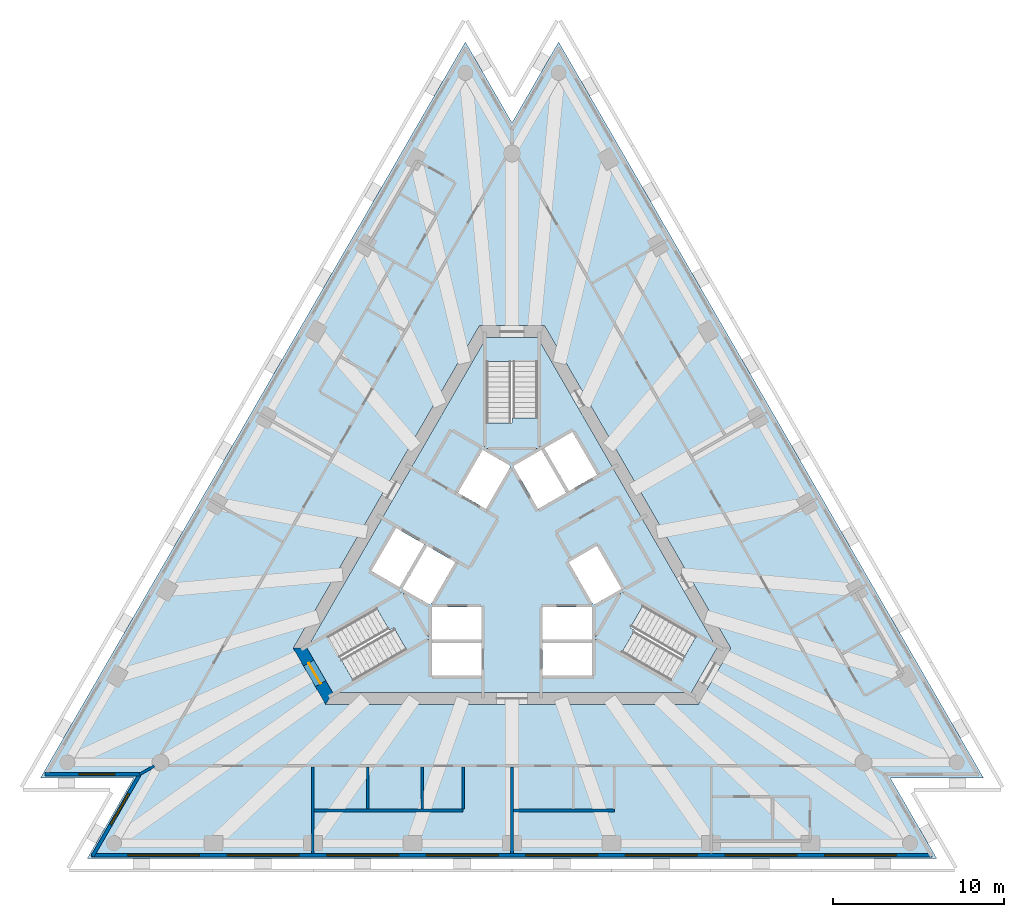
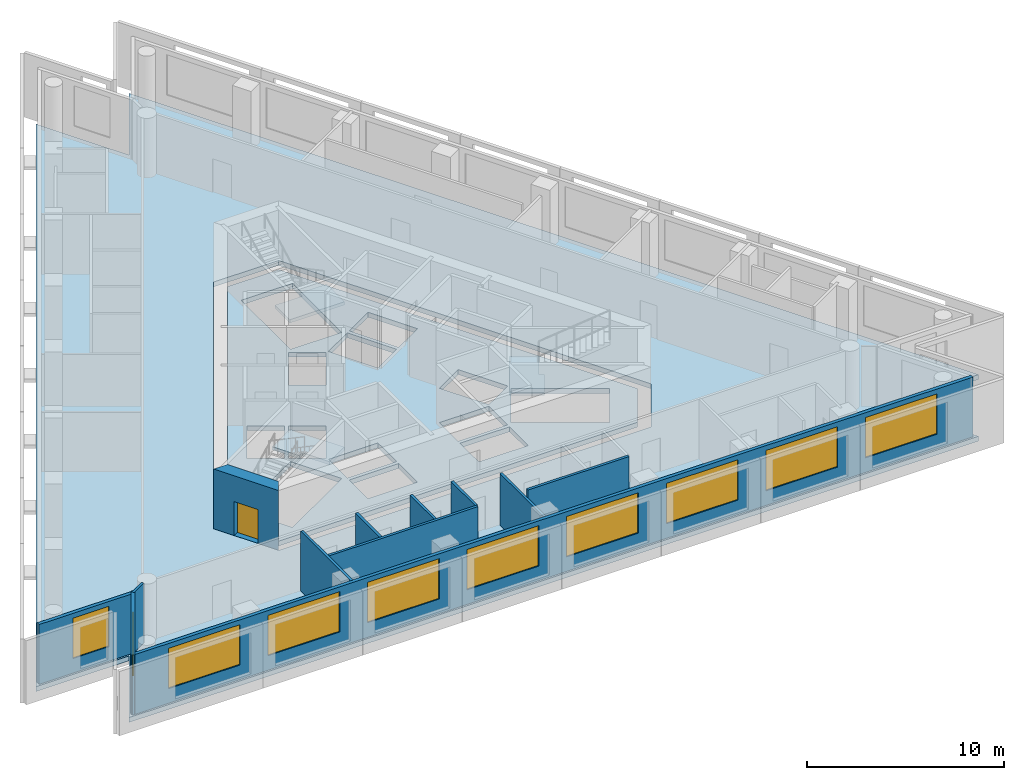
# One storey, part 2 of 10: 12 walls, 10 windows, 5 slabs, 1 door, 11 openings, 3 elements without a shape of their own.
"""IFC4 building model written with IfcOpenShell, lengths in metres."""

import ifcopenshell
import ifcopenshell.guid

model = None  # the IFC model being written
_history = None  # IfcOwnerHistory: only IFC2X3 demands one
_inside = {}  # id of a spatial element -> (the spatial element, [elements in it])
_under = {}  # id of a project, library or spatial element -> (it, [spatial elements below it])
_declared = {}  # id of a project -> (the project, [libraries it declares])
_typed = {}  # id of a type object -> (the type object, [elements of that type])
_made_of = {}  # id of a material, layer set ... -> (it, [elements and type objects made of it])


def new_model(schema):
    """Start an empty IFC model of exactly this schema.

    Asked for "IFC4X3", IfcOpenShell would pick the latest addendum, in which some entities
    have other attributes; the version numbers below select the first issue.
    IFC2X3 requires an IfcOwnerHistory on every rooted entity: one is made here for all.
    """
    global model, _history
    if schema == "IFC4X3":
        model = ifcopenshell.file(schema_version=(4, 3, 0, 0))
    else:
        model = ifcopenshell.file(schema=schema)
    _inside.clear()
    _under.clear()
    _declared.clear()
    _typed.clear()
    _made_of.clear()
    _history = None
    if model.schema == "IFC2X3":
        org = make("IfcOrganization", Name="unknown")
        user = make(
            "IfcPersonAndOrganization",
            ThePerson=make("IfcPerson", FamilyName="unknown"),
            TheOrganization=org,
        )
        app = make(
            "IfcApplication",
            ApplicationDeveloper=org,
            Version="unknown",
            ApplicationFullName="unknown",
            ApplicationIdentifier="unknown",
        )
        _history = make(
            "IfcOwnerHistory",
            OwningUser=user,
            OwningApplication=app,
            ChangeAction="ADDED",
            CreationDate=0,
        )
    return model


def make(cls, **values):
    """One entity of the class cls with the attributes given. An attribute that is None is left unset."""
    return model.create_entity(
        cls, **{name: value for name, value in values.items() if value is not None}
    )


def rooted(cls, **values):
    """An entity with a GlobalId (a new one), such as an element, a storey or a relation."""
    return make(cls, GlobalId=ifcopenshell.guid.new(), OwnerHistory=_history, **values)


def si_unit(unit_type, name, prefix=None):
    """IfcSIUnit, for example si_unit("LENGTHUNIT", "METRE", prefix="MILLI")."""
    return make("IfcSIUnit", UnitType=unit_type, Prefix=prefix, Name=name)


def assignment(units):
    """IfcUnitAssignment: the units of a project."""
    return None if units is None else make("IfcUnitAssignment", Units=units)


def point(xyz):
    """IfcCartesianPoint."""
    return None if xyz is None else make("IfcCartesianPoint", Coordinates=xyz)


def direction(xyz):
    """IfcDirection."""
    return None if xyz is None else make("IfcDirection", DirectionRatios=xyz)


def frame(location, z_axis=None, x_axis=None):
    """IfcAxis2Placement3D, a coordinate frame: its origin and axes. An axis left out is left unset."""
    return make(
        "IfcAxis2Placement3D",
        Location=point(location),
        Axis=direction(z_axis),
        RefDirection=direction(x_axis),
    )


def frame_2d(location, x_axis=None):
    """IfcAxis2Placement2D, a coordinate frame in the plane: its origin and x axis."""
    return make(
        "IfcAxis2Placement2D", Location=point(location), RefDirection=direction(x_axis)
    )


def origin():
    """The frame at (0, 0, 0) with its axes left unset."""
    return frame((0.0, 0.0, 0.0))


def place(relative_to, where):
    """IfcLocalPlacement: puts the frame where relative to a parent placement (None: the world)."""
    return make(
        "IfcLocalPlacement", PlacementRelTo=relative_to, RelativePlacement=where
    )


def context(
    kind, dimensions, precision=None, world=None, true_north=None, identifier=None
):
    """IfcGeometricRepresentationContext, for example the 3D "Model" context."""
    return make(
        "IfcGeometricRepresentationContext",
        ContextIdentifier=identifier,
        ContextType=kind,
        CoordinateSpaceDimension=dimensions,
        Precision=precision,
        WorldCoordinateSystem=world,
        TrueNorth=true_north,
    )


def subcontext(parent, identifier, kind, view, scale=None):
    """IfcGeometricRepresentationSubContext, for example "Body" below "Model"."""
    return make(
        "IfcGeometricRepresentationSubContext",
        ContextIdentifier=identifier,
        ContextType=kind,
        ParentContext=parent,
        TargetScale=scale,
        TargetView=view,
    )


def project(units=None, contexts=None):
    """IfcProject with its units and contexts."""
    return rooted(
        "IfcProject",
        Name="project",
        RepresentationContexts=contexts,
        UnitsInContext=assignment(units),
    )


def spatial(cls, under=None, at=None, **own):
    """A site, building, storey or space (cls), placed at a placement, below another one or the project."""
    s = rooted(cls, ObjectPlacement=at, **own)
    if under is not None:
        _under.setdefault(under.id(), (under, []))[1].append(s)
    return s


def polyline(points):
    """IfcPolyline through the points."""
    return make("IfcPolyline", Points=[point(p) for p in points])


def profile(cls, at=None, kind="AREA", **sizes):
    """A parametric profile (cls). Its sizes go by their IFC names, for example OverallWidth=200.0."""
    return make(cls, ProfileType=kind, Position=at, **sizes)


def rectangle(**sizes):
    """IfcRectangleProfileDef."""
    return profile("IfcRectangleProfileDef", **sizes)


def outline(outer, holes=None, kind="AREA"):
    """IfcArbitraryClosedProfileDef: a profile drawn as a closed curve; with holes, ...WithVoids."""
    if holes is None:
        return make("IfcArbitraryClosedProfileDef", ProfileType=kind, OuterCurve=outer)
    return make(
        "IfcArbitraryProfileDefWithVoids",
        ProfileType=kind,
        OuterCurve=outer,
        InnerCurves=holes,
    )


def extrude(swept, where, along, depth):
    """IfcExtrudedAreaSolid: the profile swept, set in the frame where, extruded along a direction by depth."""
    return make(
        "IfcExtrudedAreaSolid",
        SweptArea=swept,
        Position=where,
        ExtrudedDirection=direction(along),
        Depth=depth,
    )


def shape(context_of_items, identifier, shape_type, items):
    """IfcShapeRepresentation: the items that make up one representation, for example the "Body"."""
    return make(
        "IfcShapeRepresentation",
        ContextOfItems=context_of_items,
        RepresentationIdentifier=identifier,
        RepresentationType=shape_type,
        Items=items,
    )


def material(Name=None, Category=None):
    """IfcMaterial."""
    return make("IfcMaterial", Name=Name, Category=Category)


def layer(
    of_material, thickness, ventilated=None, Name=None, Category=None, Priority=None
):
    """IfcMaterialLayer: one layer of a wall or slab, of a material (None: an air gap)."""
    return make(
        "IfcMaterialLayer",
        Material=of_material,
        LayerThickness=thickness,
        IsVentilated=ventilated,
        Name=Name,
        Category=Category,
        Priority=Priority,
    )


def layer_set(layers, Name=None):
    """IfcMaterialLayerSet."""
    return make("IfcMaterialLayerSet", MaterialLayers=layers, LayerSetName=Name)


def layer_usage(for_layer_set, set_direction, sense, offset, extent=None):
    """IfcMaterialLayerSetUsage: how a layer set lies in its element."""
    return make(
        "IfcMaterialLayerSetUsage",
        ForLayerSet=for_layer_set,
        LayerSetDirection=set_direction,
        DirectionSense=sense,
        OffsetFromReferenceLine=offset,
        ReferenceExtent=extent,
    )


def made_of(thing, what):
    """Note that an element or type object is made of a material, layer set ...; save() writes the relation."""
    if what is not None:
        _made_of.setdefault(what.id(), (what, []))[1].append(thing)
    return thing


def type_object(cls, material=None, **own):
    """A type object (cls), such as IfcWallType, which elements share."""
    return made_of(rooted(cls, **own), material)


def element(
    cls,
    number,
    at=None,
    inside=None,
    cuts=None,
    type_object=None,
    material=None,
    context=None,
    identifier="Body",
    shape_type=None,
    held_by="IfcProductDefinitionShape",
    body=None,
    shapes=None,
    **own,
):
    """One element of the class cls, such as IfcWall. Its Tag is "e" and its number.

    at: its placement. inside: the storey or other place that contains it. cuts: it is an
    opening in that element (IfcRelVoidsElement). A single representation is given by context,
    identifier, shape_type and body (its items); several are given by shapes. held_by: the class
    of the entity that holds the representations. save() writes the other relations.
    """
    e = rooted(cls, Tag="e%d" % number, ObjectPlacement=at, **own)
    if body is not None:
        shapes = [shape(context, identifier, shape_type, body)]
    if shapes is not None:
        e.Representation = make(held_by, Representations=shapes)
    if inside is not None:
        _inside.setdefault(inside.id(), (inside, []))[1].append(e)
    if cuts is not None:
        rooted(
            "IfcRelVoidsElement", RelatingBuildingElement=cuts, RelatedOpeningElement=e
        )
    if type_object is not None:
        _typed.setdefault(type_object.id(), (type_object, []))[1].append(e)
    return made_of(e, material)


def fill(opening, filler):
    """IfcRelFillsElement: the door or window that sits in an opening."""
    return rooted(
        "IfcRelFillsElement",
        RelatingOpeningElement=opening,
        RelatedBuildingElement=filler,
    )


def aggregate(whole, parts):
    """IfcRelAggregates: a whole, such as a stair, and the parts it consists of."""
    return rooted("IfcRelAggregates", RelatingObject=whole, RelatedObjects=parts)


def save(model, path):
    """Write the relations noted so far, then the file.

    IfcRelAggregates (storeys below a building ...), IfcRelContainedInSpatialStructure (elements
    in a storey), IfcRelDefinesByType, IfcRelAssociatesMaterial and IfcRelDeclares: one each for
    every whole, place, type object, material and project.
    """
    for whole, parts in _under.values():
        aggregate(whole, parts)
    for where, things in _inside.values():
        rooted(
            "IfcRelContainedInSpatialStructure",
            RelatedElements=things,
            RelatingStructure=where,
        )
    for kind, things in _typed.values():
        rooted("IfcRelDefinesByType", RelatedObjects=things, RelatingType=kind)
    for what, things in _made_of.values():
        rooted("IfcRelAssociatesMaterial", RelatedObjects=things, RelatingMaterial=what)
    for by, libraries in _declared.values():
        rooted("IfcRelDeclares", RelatingContext=by, RelatedDefinitions=libraries)
    model.write(path)


model = new_model("IFC4")

# Units and contexts
model_context = context("Model", 3, precision=1e-05, world=origin(), true_north=direction((0.0, 1.0)))
body_context = subcontext(model_context, "Body", "Model", "MODEL_VIEW")
ifc_project = project(units=[si_unit("LENGTHUNIT", "METRE"), si_unit("AREAUNIT", "SQUARE_METRE"), si_unit("VOLUMEUNIT", "CUBIC_METRE"), si_unit("PLANEANGLEUNIT", "RADIAN"), si_unit("MASSUNIT", "GRAM", prefix="KILO")], contexts=[model_context])

# Site, building, storey
site_placement = place(None, origin())
site = spatial("IfcSite", under=ifc_project, at=site_placement, CompositionType="ELEMENT")
building_placement = place(site_placement, origin())
building = spatial("IfcBuilding", under=site, at=building_placement, Name="Triada Interchange Tower", CompositionType="ELEMENT")
storey_placement = place(building_placement, frame((0.0, 0.0, 243.300048828125)))
storey = spatial("IfcBuildingStorey", under=building, at=storey_placement, Name="L57", CompositionType="ELEMENT", Elevation=243.300048828125)

# Slabs
ifc_material_1 = material(Name="Concrete C50/60", Category="concrete")
ifc_layer_1 = layer(ifc_material_1, 0.300048828125)
ifc_layer_set_1 = layer_set([ifc_layer_1], Name="Floor slab 300")
slab_type_1 = type_object("IfcSlabType", Name="Floor slab 300", PredefinedType="FLOOR", material=ifc_layer_set_1)
slab_1_placement = place(storey_placement, frame((0.0, 0.0, -0.300048828125)))
element("IfcSlab", 1, at=slab_1_placement, inside=storey, type_object=slab_type_1, Name="Floor slab L57", PredefinedType="FLOOR", context=body_context, shape_type="SweptSolid", body=[
    extrude(outline(polyline([(-2.73193359375, 30.31689453125), (-27.62109375, -12.79296875), (-22.156982421875, -12.79296875), (-24.888916015625, -17.52392578125), (24.888916015625, -17.52392578125), (22.156982421875, -12.79296875), (27.62109375, -12.79296875), (2.73193359375, 30.31689453125), (0.0, 25.5849609375), (-2.73193359375, 30.31689453125)]), holes=[polyline([(1.905029296875, 13.699951171875), (-1.905029296875, 13.699951171875), (-12.81689453125, -5.199951171875), (-10.912109375, -8.5), (10.912109375, -8.5), (12.81689453125, -5.199951171875), (1.905029296875, 13.699951171875)])]), origin(), (0.0, 0.0, 1.0), 0.300048828125),
])
slab_2_placement = place(storey_placement, frame((0.0, 0.0, -0.300048828125)))
element("IfcSlab", 2, at=slab_2_placement, inside=storey, type_object=slab_type_1, Name="Core floor slab L57 1", PredefinedType="FLOOR", context=body_context, shape_type="SweptSolid", body=[
    extrude(outline(polyline([(12.009033203125, -5.199951171875), (10.508056640625, -7.800048828125), (-10.508056640625, -7.800048828125), (-12.009033203125, -5.199951171875), (-1.5009765625, 13.0), (1.5009765625, 13.0), (12.009033203125, -5.199951171875)]), holes=[polyline([(9.2958984375, -7.09912109375), (10.7958984375, -4.5009765625), (6.466064453125, -2.0009765625), (4.966064453125, -4.59912109375), (9.2958984375, -7.09912109375)]), polyline([(4.77490234375, -2.669921875), (6.419921875, -1.719970703125), (4.969970703125, 0.791015625), (4.137939453125, 0.31103515625), (3.324951171875, -0.158935546875), (4.77490234375, -2.669921875)]), polyline([(1.89404296875, 6.52001953125), (3.343994140625, 4.009033203125), (4.989013671875, 4.958984375), (3.5390625, 7.469970703125), (1.89404296875, 6.52001953125)]), polyline([(1.800048828125, -4.89990234375), (1.800048828125, -6.4990234375), (1.800048828125, -6.800048828125), (4.699951171875, -6.800048828125), (4.699951171875, -4.89990234375), (1.800048828125, -4.89990234375)]), polyline([(4.699951171875, -2.800048828125), (1.800048828125, -2.800048828125), (1.800048828125, -4.699951171875), (4.699951171875, -4.699951171875), (4.699951171875, -2.800048828125)]), polyline([(0.074951171875, 5.469970703125), (1.52490234375, 2.958984375), (3.169921875, 3.908935546875), (1.719970703125, 6.419921875), (0.074951171875, 5.469970703125)]), polyline([(-1.5, 11.60009765625), (-1.5, 6.60009765625), (1.5, 6.60009765625), (1.5, 11.60009765625), (-1.5, 11.60009765625)]), polyline([(-1.52490234375, 2.958984375), (-0.074951171875, 5.469970703125), (-1.719970703125, 6.419921875), (-3.169921875, 3.908935546875), (-1.52490234375, 2.958984375)]), polyline([(-1.800048828125, -2.800048828125), (-4.699951171875, -2.800048828125), (-4.699951171875, -4.699951171875), (-1.800048828125, -4.699951171875), (-1.800048828125, -2.800048828125)]), polyline([(-4.699951171875, -6.800048828125), (-1.800048828125, -6.800048828125), (-1.800048828125, -6.4990234375), (-1.800048828125, -4.89990234375), (-4.699951171875, -4.89990234375), (-4.699951171875, -6.800048828125)]), polyline([(-3.367919921875, -0.134033203125), (-4.969970703125, 0.791015625), (-6.419921875, -1.719970703125), (-4.77490234375, -2.669921875), (-3.324951171875, -0.158935546875), (-3.367919921875, -0.134033203125)]), polyline([(-10.7958984375, -4.5009765625), (-9.2958984375, -7.09912109375), (-4.966064453125, -4.59912109375), (-6.466064453125, -2.0009765625), (-10.7958984375, -4.5009765625)]), polyline([(-6.593994140625, -1.6201171875), (-5.14404296875, 0.89111328125), (-6.7890625, 1.841064453125), (-8.239013671875, -0.669921875), (-6.593994140625, -1.6201171875)])]), origin(), (0.0, 0.0, 1.0), 0.300048828125),
])

# Stair, slab
ifc_material_2 = material(Name="Concrete C35/45", Category="concrete")
stair_type = type_object("IfcStairType", Name="HALF TURN STAIR 1400", PredefinedType="HALF_TURN_STAIR", material=ifc_material_2)
stair_1_placement = place(storey_placement, origin())
stair_1 = element("IfcStair", 3, at=stair_1_placement, inside=storey, type_object=stair_type, Name="Exit stair S56-1", PredefinedType="HALF_TURN_STAIR")
ifc_layer_2 = layer(ifc_material_2, 0.199951171875)
ifc_layer_set_2 = layer_set([ifc_layer_2], Name="STAIR LANDING 200")
slab_type_2 = type_object("IfcSlabType", Name="STAIR LANDING 200", PredefinedType="LANDING", material=ifc_layer_set_2)
slab_3_placement = place(storey_placement, frame((0.0, 0.0, 1.719970703125)))
slab_3 = element("IfcSlab", 4, at=slab_3_placement, type_object=slab_type_2, Name="S56-1 landing 1", PredefinedType="LANDING", context=body_context, shape_type="SweptSolid", body=[
    extrude(outline(polyline([(1.60009765625, 6.5), (1.60009765625, 8.300048828125), (0.0, 8.300048828125), (0.0, 8.0), (-1.60009765625, 8.0), (-1.60009765625, 6.5), (1.60009765625, 6.5)])), origin(), (0.0, 0.0, 1.0), 0.199951171875),
])
aggregate(stair_1, [slab_3])

stair_2_placement = place(storey_placement, origin())
stair_2 = element("IfcStair", 5, at=stair_2_placement, inside=storey, type_object=stair_type, Name="Exit stair S56-2", PredefinedType="HALF_TURN_STAIR")
slab_4_placement = place(storey_placement, frame((0.0, 0.0, 1.719970703125)))
slab_4 = element("IfcSlab", 6, at=slab_4_placement, type_object=slab_type_2, Name="S56-2 landing 1", PredefinedType="LANDING", context=body_context, shape_type="SweptSolid", body=[
    extrude(outline(polyline([(-6.428955078125, -1.864013671875), (-7.988037109375, -2.763916015625), (-7.18798828125, -4.14990234375), (-6.927978515625, -4.0), (-6.1279296875, -5.385986328125), (-4.8291015625, -4.635986328125), (-6.428955078125, -1.864013671875)])), origin(), (0.0, 0.0, 1.0), 0.199951171875),
])
aggregate(stair_2, [slab_4])

stair_3_placement = place(storey_placement, origin())
stair_3 = element("IfcStair", 7, at=stair_3_placement, inside=storey, type_object=stair_type, Name="Exit stair S56-3", PredefinedType="HALF_TURN_STAIR")
slab_5_placement = place(storey_placement, frame((0.0, 0.0, 1.719970703125)))
slab_5 = element("IfcSlab", 8, at=slab_5_placement, type_object=slab_type_2, Name="S56-3 landing 1", PredefinedType="LANDING", context=body_context, shape_type="SweptSolid", body=[
    extrude(outline(polyline([(4.8291015625, -4.635986328125), (6.387939453125, -5.535888671875), (7.18798828125, -4.14990234375), (6.927978515625, -4.0), (7.72802734375, -2.614013671875), (6.428955078125, -1.864013671875), (4.8291015625, -4.635986328125)])), origin(), (0.0, 0.0, 1.0), 0.199951171875),
])
aggregate(stair_3, [slab_5])

# Wall, opening, door
ifc_layer_3 = layer(ifc_material_1, 0.699951171875)
ifc_layer_set_3 = layer_set([ifc_layer_3], Name="Core wall C 700")
wall_type_1 = type_object("IfcWallType", Name="Core wall C 700", PredefinedType="SHEAR", material=ifc_layer_set_3)
wall_1_placement = place(storey_placement, frame((-12.4130859375, -5.199951171875, -0.300048828125), z_axis=(0.0, 0.0, 1.0), x_axis=(0.49999337185, -0.866029230515, 0.0)))
wall_1 = element("IfcWall", 9, at=wall_1_placement, inside=storey, type_object=wall_type_1, Name="Core wall WC03 L57", PredefinedType="SHEAR", context=body_context, shape_type="SweptSolid", body=[
    extrude(outline(polyline([(-0.201904296875, -0.35009765625), (1.703125, -0.35009765625), (3.60791015625, -0.35009765625), (3.2041015625, 0.35009765625), (1.703125, 0.35009765625), (0.201904296875, 0.35009765625), (-0.201904296875, -0.35009765625)])), origin(), (0.0, 0.0, 1.0), 4.0),
])
opening_1_placement = place(wall_1_placement, frame((1.0029296875, 0.0, 0.300048828125)))
opening_1 = element("IfcOpeningElement", 10, at=opening_1_placement, cuts=wall_1, Name="Opening D56-41", PredefinedType="OPENING", context=body_context, shape_type="SweptSolid", body=[
    extrude(rectangle(XDim=1.39990234375, YDim=2.10009765625, at=frame_2d((0.699951171875, 1.050048828125))), frame((0.0, 0.360107421875, 0.0), z_axis=(0.0, -1.0, 0.0), x_axis=(1.0, 0.0, 0.0)), (0.0, 0.0, 1.0), 0.72021484375),
])
ifc_material_3 = material(Name="Steel S235 door leaf", Category="steel")
door_type = type_object("IfcDoorType", Name="STAIR DOOR 1400 EI2 90-C5S200", OperationType="DOUBLE_DOOR_SINGLE_SWING", PredefinedType="DOOR", material=ifc_material_3)
door_placement = place(opening_1_placement, origin())
door = element("IfcDoor", 11, at=door_placement, inside=storey, type_object=door_type, Name="Door D56-41 L57", OperationType="DOUBLE_DOOR_SINGLE_SWING", OverallHeight=2.10009765625, OverallWidth=1.39990234375, PredefinedType="DOOR", context=body_context, shape_type="SweptSolid", body=[
    extrude(rectangle(XDim=1.39990234375, YDim=2.10009765625, at=frame_2d((0.699951171875, 1.050048828125))), frame((0.0, 0.02490234375, 0.0), z_axis=(0.0, -1.0, 0.0), x_axis=(1.0, 0.0, 0.0)), (0.0, 0.0, 1.0), 0.050048828125),
])
fill(opening_1, door)

# Wall, opening, window
ifc_material_4 = material(Name="Cement board")
ifc_layer_4 = layer(ifc_material_4, 0.02001953125, Name="Cement board cladding")
ifc_material_5 = material(Name="Sheathing board")
ifc_layer_5 = layer(ifc_material_5, 0.014892578125, Name="Sheathing board")
ifc_material_6 = material(Name="Mineral wool")
ifc_layer_6 = layer(ifc_material_6, 0.14990234375, Name="Mineral wool between steel studs")
ifc_material_7 = material(Name="Gypsum board")
ifc_layer_7 = layer(ifc_material_7, 0.014892578125, Name="Plasterboard lining")
ifc_layer_set_4 = layer_set([ifc_layer_4, ifc_layer_5, ifc_layer_6, ifc_layer_7], Name="External wall 200")
ifc_layer_usage = layer_usage(ifc_layer_set_4, "AXIS2", "POSITIVE", -0.10009765625)
wall_type_2 = type_object("IfcWallType", Name="External wall 200", PredefinedType="ELEMENTEDWALL", material=ifc_layer_set_4)
wall_2_placement = place(storey_placement, frame((-27.364990234375, -12.593017578125, 0.0), z_axis=(0.0, 0.0, 1.0), x_axis=(1.0, 0.0, 0.0)))
wall_2 = element("IfcWall", 12, at=wall_2_placement, inside=storey, type_object=wall_type_2, material=ifc_layer_usage, Name="External wall L57 SW-1", PredefinedType="ELEMENTEDWALL", context=body_context, shape_type="SweptSolid", body=[
    extrude(rectangle(XDim=5.6240234375, YDim=0.199951171875, at=frame_2d((2.81201171875, 0.0))), origin(), (0.0, 0.0, 1.0), 3.699951171875),
])
opening_2_placement = place(wall_2_placement, frame((1.989990234375, 0.0, 0.89990234375)))
opening_2 = element("IfcOpeningElement", 13, at=opening_2_placement, cuts=wall_2, Name="Opening WC09", PredefinedType="OPENING", context=body_context, shape_type="SweptSolid", body=[
    extrude(rectangle(XDim=2.10009765625, YDim=2.5, at=frame_2d((1.050048828125, 1.25))), frame((0.0, 0.10986328125, 0.0), z_axis=(0.0, -1.0, 0.0), x_axis=(1.0, 0.0, 0.0)), (0.0, 0.0, 1.0), 0.219970703125),
])
ifc_material_8 = material(Name="Double glazed aluminium window", Category="aluminium")
window_type_1 = type_object("IfcWindowType", Name="Ribbon window C pocket", PartitioningType="SINGLE_PANEL", PredefinedType="WINDOW", material=ifc_material_8)
window_1_placement = place(opening_2_placement, origin())
window_1 = element("IfcWindow", 14, at=window_1_placement, inside=storey, type_object=window_type_1, Name="Window L57 SW-1 1", OverallHeight=2.5, OverallWidth=2.10009765625, PartitioningType="SINGLE_PANEL", PredefinedType="WINDOW", context=body_context, shape_type="SweptSolid", body=[
    extrude(rectangle(XDim=2.10009765625, YDim=2.5, at=frame_2d((1.050048828125, 1.25))), frame((0.0, 0.030029296875, 0.0), z_axis=(0.0, -1.0, 0.0), x_axis=(1.0, 0.0, 0.0)), (0.0, 0.0, 1.0), 0.06005859375),
])
fill(opening_2, window_1)

wall_3_placement = place(storey_placement, frame((-21.76611328125, -12.514892578125, 0.0), z_axis=(0.0, 0.0, 1.0), x_axis=(-0.500000548001, -0.866025087395, 0.0)))
wall_3 = element("IfcWall", 15, at=wall_3_placement, inside=storey, type_object=wall_type_2, material=ifc_layer_usage, Name="External wall L57 SW-2", PredefinedType="ELEMENTEDWALL", context=body_context, shape_type="SweptSolid", body=[
    extrude(rectangle(XDim=5.62353515625, YDim=0.199951171875, at=frame_2d((2.811767578125, 0.0))), origin(), (0.0, 0.0, 1.0), 3.699951171875),
])
opening_3_placement = place(wall_3_placement, frame((1.389892578125, 0.0, 0.89990234375)))
opening_3 = element("IfcOpeningElement", 16, at=opening_3_placement, cuts=wall_3, Name="Opening WC10", PredefinedType="OPENING", context=body_context, shape_type="SweptSolid", body=[
    extrude(rectangle(XDim=2.10009765625, YDim=2.5, at=frame_2d((1.050048828125, 1.25))), frame((0.0, 0.10986328125, 0.0), z_axis=(0.0, -1.0, 0.0), x_axis=(1.0, 0.0, 0.0)), (0.0, 0.0, 1.0), 0.219970703125),
])
window_2_placement = place(opening_3_placement, origin())
window_2 = element("IfcWindow", 17, at=window_2_placement, inside=storey, type_object=window_type_1, Name="Window L57 SW-2 1", OverallHeight=2.5, OverallWidth=2.10009765625, PartitioningType="SINGLE_PANEL", PredefinedType="WINDOW", context=body_context, shape_type="SweptSolid", body=[
    extrude(rectangle(XDim=2.10009765625, YDim=2.5, at=frame_2d((1.050048828125, 1.25))), frame((0.0, 0.030029296875, 0.0), z_axis=(0.0, -1.0, 0.0), x_axis=(1.0, 0.0, 0.0)), (0.0, 0.0, 1.0), 0.06005859375),
])
fill(opening_3, window_2)

# Wall, openings, windows
wall_4_placement = place(storey_placement, frame((-24.633056640625, -17.323974609375, 0.0), z_axis=(0.0, 0.0, 1.0), x_axis=(1.0, 0.0, 0.0)))
wall_4 = element("IfcWall", 18, at=wall_4_placement, inside=storey, type_object=wall_type_2, material=ifc_layer_usage, Name="External wall L57 S", PredefinedType="ELEMENTEDWALL", context=body_context, shape_type="SweptSolid", body=[
    extrude(rectangle(XDim=49.24609375, YDim=0.199951171875, at=frame_2d((24.623046875, 0.0))), origin(), (0.0, 0.0, 1.0), 3.699951171875),
])
opening_4_placement = place(wall_4_placement, frame((2.118896484375, 0.0, 0.89990234375)))
opening_4 = element("IfcOpeningElement", 19, at=opening_4_placement, cuts=wall_4, Name="Opening WC11", PredefinedType="OPENING", context=body_context, shape_type="SweptSolid", body=[
    extrude(rectangle(XDim=4.199951171875, YDim=2.5, at=frame_2d((2.10009765625, 1.25))), frame((0.0, 0.10986328125, 0.0), z_axis=(0.0, -1.0, 0.0), x_axis=(1.0, 0.0, 0.0)), (0.0, 0.0, 1.0), 0.219970703125),
])
opening_5_placement = place(wall_4_placement, frame((7.951904296875, 0.0, 0.89990234375)))
opening_5 = element("IfcOpeningElement", 20, at=opening_5_placement, cuts=wall_4, Name="Opening WC12", PredefinedType="OPENING", context=body_context, shape_type="SweptSolid", body=[
    extrude(rectangle(XDim=4.199951171875, YDim=2.5, at=frame_2d((2.10009765625, 1.25))), frame((0.0, 0.10986328125, 0.0), z_axis=(0.0, -1.0, 0.0), x_axis=(1.0, 0.0, 0.0)), (0.0, 0.0, 1.0), 0.219970703125),
])
opening_6_placement = place(wall_4_placement, frame((13.783935546875, 0.0, 0.89990234375)))
opening_6 = element("IfcOpeningElement", 21, at=opening_6_placement, cuts=wall_4, Name="Opening WC13", PredefinedType="OPENING", context=body_context, shape_type="SweptSolid", body=[
    extrude(rectangle(XDim=4.199951171875, YDim=2.5, at=frame_2d((2.10009765625, 1.25))), frame((0.0, 0.10986328125, 0.0), z_axis=(0.0, -1.0, 0.0), x_axis=(1.0, 0.0, 0.0)), (0.0, 0.0, 1.0), 0.219970703125),
])
opening_7_placement = place(wall_4_placement, frame((19.616943359375, 0.0, 0.89990234375)))
opening_7 = element("IfcOpeningElement", 22, at=opening_7_placement, cuts=wall_4, Name="Opening WC14", PredefinedType="OPENING", context=body_context, shape_type="SweptSolid", body=[
    extrude(rectangle(XDim=4.199951171875, YDim=2.5, at=frame_2d((2.10009765625, 1.25))), frame((0.0, 0.10986328125, 0.0), z_axis=(0.0, -1.0, 0.0), x_axis=(1.0, 0.0, 0.0)), (0.0, 0.0, 1.0), 0.219970703125),
])
opening_8_placement = place(wall_4_placement, frame((25.448974609375, 0.0, 0.89990234375)))
opening_8 = element("IfcOpeningElement", 23, at=opening_8_placement, cuts=wall_4, Name="Opening WC15", PredefinedType="OPENING", context=body_context, shape_type="SweptSolid", body=[
    extrude(rectangle(XDim=4.199951171875, YDim=2.5, at=frame_2d((2.10009765625, 1.25))), frame((0.0, 0.10986328125, 0.0), z_axis=(0.0, -1.0, 0.0), x_axis=(1.0, 0.0, 0.0)), (0.0, 0.0, 1.0), 0.219970703125),
])
opening_9_placement = place(wall_4_placement, frame((31.281982421875, 0.0, 0.89990234375)))
opening_9 = element("IfcOpeningElement", 24, at=opening_9_placement, cuts=wall_4, Name="Opening WC16", PredefinedType="OPENING", context=body_context, shape_type="SweptSolid", body=[
    extrude(rectangle(XDim=4.199951171875, YDim=2.5, at=frame_2d((2.10009765625, 1.25))), frame((0.0, 0.10986328125, 0.0), z_axis=(0.0, -1.0, 0.0), x_axis=(1.0, 0.0, 0.0)), (0.0, 0.0, 1.0), 0.219970703125),
])
opening_10_placement = place(wall_4_placement, frame((37.114013671875, 0.0, 0.89990234375)))
opening_10 = element("IfcOpeningElement", 25, at=opening_10_placement, cuts=wall_4, Name="Opening WC17", PredefinedType="OPENING", context=body_context, shape_type="SweptSolid", body=[
    extrude(rectangle(XDim=4.199951171875, YDim=2.5, at=frame_2d((2.10009765625, 1.25))), frame((0.0, 0.10986328125, 0.0), z_axis=(0.0, -1.0, 0.0), x_axis=(1.0, 0.0, 0.0)), (0.0, 0.0, 1.0), 0.219970703125),
])
opening_11_placement = place(wall_4_placement, frame((42.947021484375, 0.0, 0.89990234375)))
opening_11 = element("IfcOpeningElement", 26, at=opening_11_placement, cuts=wall_4, Name="Opening WC18", PredefinedType="OPENING", context=body_context, shape_type="SweptSolid", body=[
    extrude(rectangle(XDim=4.199951171875, YDim=2.5, at=frame_2d((2.10009765625, 1.25))), frame((0.0, 0.10986328125, 0.0), z_axis=(0.0, -1.0, 0.0), x_axis=(1.0, 0.0, 0.0)), (0.0, 0.0, 1.0), 0.219970703125),
])
window_type_2 = type_object("IfcWindowType", Name="Ribbon window C face", PartitioningType="SINGLE_PANEL", PredefinedType="WINDOW", material=ifc_material_8)
window_3_placement = place(opening_4_placement, origin())
window_3 = element("IfcWindow", 27, at=window_3_placement, inside=storey, type_object=window_type_2, Name="Window L57 S 1", OverallHeight=2.5, OverallWidth=4.199951171875, PartitioningType="SINGLE_PANEL", PredefinedType="WINDOW", context=body_context, shape_type="SweptSolid", body=[
    extrude(rectangle(XDim=4.199951171875, YDim=2.5, at=frame_2d((2.10009765625, 1.25))), frame((0.0, 0.030029296875, 0.0), z_axis=(0.0, -1.0, 0.0), x_axis=(1.0, 0.0, 0.0)), (0.0, 0.0, 1.0), 0.06005859375),
])
fill(opening_4, window_3)
window_4_placement = place(opening_5_placement, origin())
window_4 = element("IfcWindow", 28, at=window_4_placement, inside=storey, type_object=window_type_2, Name="Window L57 S 2", OverallHeight=2.5, OverallWidth=4.199951171875, PartitioningType="SINGLE_PANEL", PredefinedType="WINDOW", context=body_context, shape_type="SweptSolid", body=[
    extrude(rectangle(XDim=4.199951171875, YDim=2.5, at=frame_2d((2.10009765625, 1.25))), frame((0.0, 0.030029296875, 0.0), z_axis=(0.0, -1.0, 0.0), x_axis=(1.0, 0.0, 0.0)), (0.0, 0.0, 1.0), 0.06005859375),
])
fill(opening_5, window_4)
window_5_placement = place(opening_6_placement, origin())
window_5 = element("IfcWindow", 29, at=window_5_placement, inside=storey, type_object=window_type_2, Name="Window L57 S 3", OverallHeight=2.5, OverallWidth=4.199951171875, PartitioningType="SINGLE_PANEL", PredefinedType="WINDOW", context=body_context, shape_type="SweptSolid", body=[
    extrude(rectangle(XDim=4.199951171875, YDim=2.5, at=frame_2d((2.10009765625, 1.25))), frame((0.0, 0.030029296875, 0.0), z_axis=(0.0, -1.0, 0.0), x_axis=(1.0, 0.0, 0.0)), (0.0, 0.0, 1.0), 0.06005859375),
])
fill(opening_6, window_5)
window_6_placement = place(opening_7_placement, origin())
window_6 = element("IfcWindow", 30, at=window_6_placement, inside=storey, type_object=window_type_2, Name="Window L57 S 4", OverallHeight=2.5, OverallWidth=4.199951171875, PartitioningType="SINGLE_PANEL", PredefinedType="WINDOW", context=body_context, shape_type="SweptSolid", body=[
    extrude(rectangle(XDim=4.199951171875, YDim=2.5, at=frame_2d((2.10009765625, 1.25))), frame((0.0, 0.030029296875, 0.0), z_axis=(0.0, -1.0, 0.0), x_axis=(1.0, 0.0, 0.0)), (0.0, 0.0, 1.0), 0.06005859375),
])
fill(opening_7, window_6)
window_7_placement = place(opening_8_placement, origin())
window_7 = element("IfcWindow", 31, at=window_7_placement, inside=storey, type_object=window_type_2, Name="Window L57 S 5", OverallHeight=2.5, OverallWidth=4.199951171875, PartitioningType="SINGLE_PANEL", PredefinedType="WINDOW", context=body_context, shape_type="SweptSolid", body=[
    extrude(rectangle(XDim=4.199951171875, YDim=2.5, at=frame_2d((2.10009765625, 1.25))), frame((0.0, 0.030029296875, 0.0), z_axis=(0.0, -1.0, 0.0), x_axis=(1.0, 0.0, 0.0)), (0.0, 0.0, 1.0), 0.06005859375),
])
fill(opening_8, window_7)
window_8_placement = place(opening_9_placement, origin())
window_8 = element("IfcWindow", 32, at=window_8_placement, inside=storey, type_object=window_type_2, Name="Window L57 S 6", OverallHeight=2.5, OverallWidth=4.199951171875, PartitioningType="SINGLE_PANEL", PredefinedType="WINDOW", context=body_context, shape_type="SweptSolid", body=[
    extrude(rectangle(XDim=4.199951171875, YDim=2.5, at=frame_2d((2.10009765625, 1.25))), frame((0.0, 0.030029296875, 0.0), z_axis=(0.0, -1.0, 0.0), x_axis=(1.0, 0.0, 0.0)), (0.0, 0.0, 1.0), 0.06005859375),
])
fill(opening_9, window_8)
window_9_placement = place(opening_10_placement, origin())
window_9 = element("IfcWindow", 33, at=window_9_placement, inside=storey, type_object=window_type_2, Name="Window L57 S 7", OverallHeight=2.5, OverallWidth=4.199951171875, PartitioningType="SINGLE_PANEL", PredefinedType="WINDOW", context=body_context, shape_type="SweptSolid", body=[
    extrude(rectangle(XDim=4.199951171875, YDim=2.5, at=frame_2d((2.10009765625, 1.25))), frame((0.0, 0.030029296875, 0.0), z_axis=(0.0, -1.0, 0.0), x_axis=(1.0, 0.0, 0.0)), (0.0, 0.0, 1.0), 0.06005859375),
])
fill(opening_10, window_9)
window_10_placement = place(opening_11_placement, origin())
window_10 = element("IfcWindow", 34, at=window_10_placement, inside=storey, type_object=window_type_2, Name="Window L57 S 8", OverallHeight=2.5, OverallWidth=4.199951171875, PartitioningType="SINGLE_PANEL", PredefinedType="WINDOW", context=body_context, shape_type="SweptSolid", body=[
    extrude(rectangle(XDim=4.199951171875, YDim=2.5, at=frame_2d((2.10009765625, 1.25))), frame((0.0, 0.030029296875, 0.0), z_axis=(0.0, -1.0, 0.0), x_axis=(1.0, 0.0, 0.0)), (0.0, 0.0, 1.0), 0.06005859375),
])
fill(opening_11, window_10)

# Walls
ifc_material_9 = material(Name="Gypsum board partition")
ifc_layer_8 = layer(ifc_material_9, 0.14990234375)
ifc_layer_set_5 = layer_set([ifc_layer_8], Name="PARTITION 150 EI 180")
wall_type_3 = type_object("IfcWallType", Name="PARTITION 150 EI 180", PredefinedType="PARTITIONING", material=ifc_layer_set_5)
wall_5_placement = place(storey_placement, frame((-21.81103515625, -12.593017578125, 0.0), z_axis=(0.0, 0.0, 1.0), x_axis=(0.866086641072, 0.499893918903, 0.0)))
element("IfcWall", 35, at=wall_5_placement, inside=storey, type_object=wall_type_3, Name="Wall L56 1", PredefinedType="PARTITIONING", context=body_context, shape_type="SweptSolid", body=[
    extrude(rectangle(XDim=0.986083984375, YDim=0.14990234375, at=frame_2d((0.4931640625, 0.0))), origin(), (0.0, 0.0, 1.0), 3.699951171875),
])
wall_6_placement = place(storey_placement, frame((-11.6650390625, -17.243896484375, 0.0), z_axis=(0.0, 0.0, 1.0), x_axis=(0.0, 1.0, 0.0)))
element("IfcWall", 36, at=wall_6_placement, inside=storey, type_object=wall_type_3, Name="Wall L56 8", PredefinedType="PARTITIONING", context=body_context, shape_type="SweptSolid", body=[
    extrude(rectangle(XDim=5.06884765625, YDim=0.14990234375, at=frame_2d((2.534423828125, 0.0))), origin(), (0.0, 0.0, 1.0), 3.699951171875),
])
wall_7_placement = place(storey_placement, frame((-11.590087890625, -14.7119140625, 0.0), z_axis=(0.0, 0.0, 1.0), x_axis=(1.0, 0.0, 0.0)))
element("IfcWall", 37, at=wall_7_placement, inside=storey, type_object=wall_type_3, Name="Wall L56 9", PredefinedType="PARTITIONING", context=body_context, shape_type="SweptSolid", body=[
    extrude(rectangle(XDim=8.72509765625, YDim=0.14990234375, at=frame_2d((4.362548828125, 0.0))), origin(), (0.0, 0.0, 1.0), 3.699951171875),
])
wall_8_placement = place(storey_placement, frame((0.074951171875, -14.7119140625, 0.0), z_axis=(0.0, 0.0, 1.0), x_axis=(1.0, 0.0, 0.0)))
element("IfcWall", 38, at=wall_8_placement, inside=storey, type_object=wall_type_3, Name="Wall L56 10", PredefinedType="PARTITIONING", context=body_context, shape_type="SweptSolid", body=[
    extrude(rectangle(XDim=5.925048828125, YDim=0.14990234375, at=frame_2d((2.96240234375, 0.0))), origin(), (0.0, 0.0, 1.0), 3.699951171875),
])
for number, where, z_axis, x_axis, name in (
    (39, (-8.465087890625, -14.636962890625, 0.0), (0.0, 0.0, 1.0), (0.0, 1.0, 0.0), "Wall L56 16"),
    (40, (-2.864990234375, -14.636962890625, 0.0), (0.0, 0.0, 1.0), (0.0, 1.0, 0.0), "Wall L56 17"),
    (41, (-5.264892578125, -14.636962890625, 0.0), (0.0, 0.0, 1.0), (0.0, 1.0, 0.0), "Wall L56 18"),
):
    element("IfcWall", number, at=place(storey_placement, frame(where, z_axis=z_axis, x_axis=x_axis)), inside=storey, type_object=wall_type_3, Name=name, PredefinedType="PARTITIONING", context=body_context, shape_type="SweptSolid", body=[
        extrude(rectangle(XDim=2.4619140625, YDim=0.14990234375, at=frame_2d((1.23095703125, 0.0))), origin(), (0.0, 0.0, 1.0), 3.699951171875),
    ])
wall_9_placement = place(storey_placement, frame((0.0, -17.243896484375, 0.0), z_axis=(0.0, 0.0, 1.0), x_axis=(0.0, 1.0, 0.0)))
element("IfcWall", 42, at=wall_9_placement, inside=storey, type_object=wall_type_3, Name="Wall L56 19", PredefinedType="PARTITIONING", context=body_context, shape_type="SweptSolid", body=[
    extrude(rectangle(XDim=5.06884765625, YDim=0.14990234375, at=frame_2d((2.534423828125, 0.0))), origin(), (0.0, 0.0, 1.0), 3.199951171875),
])

save(model, "model.ifc")
